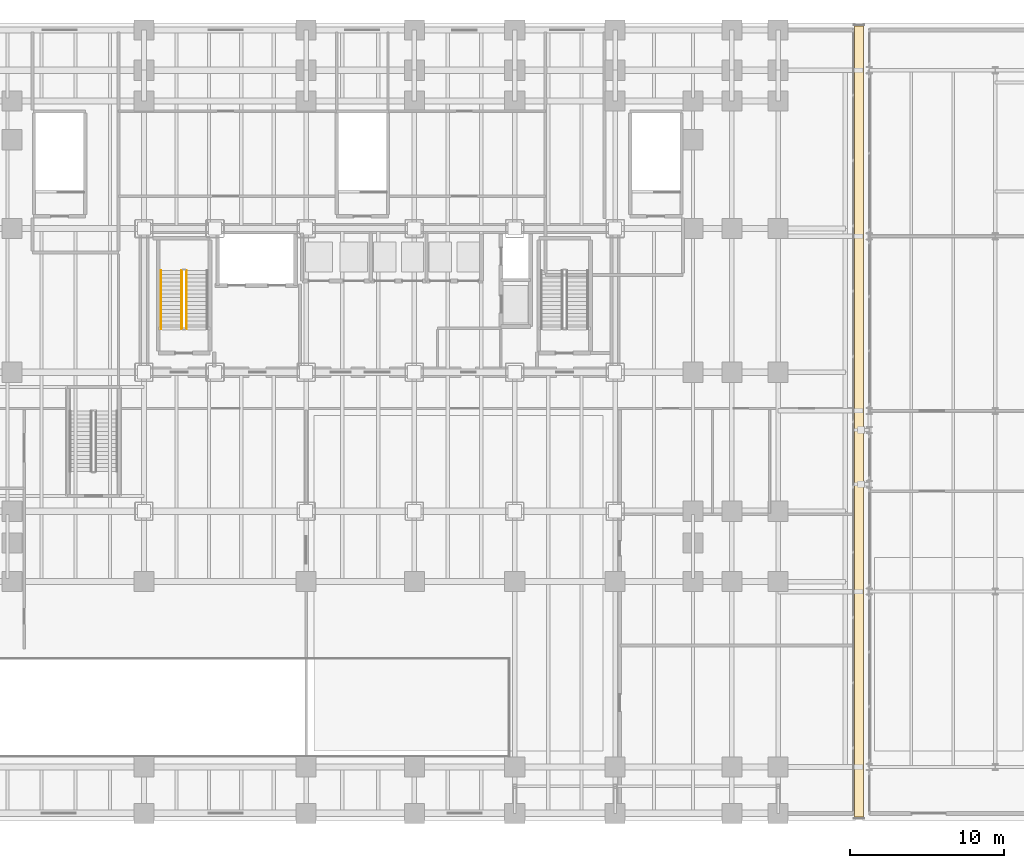
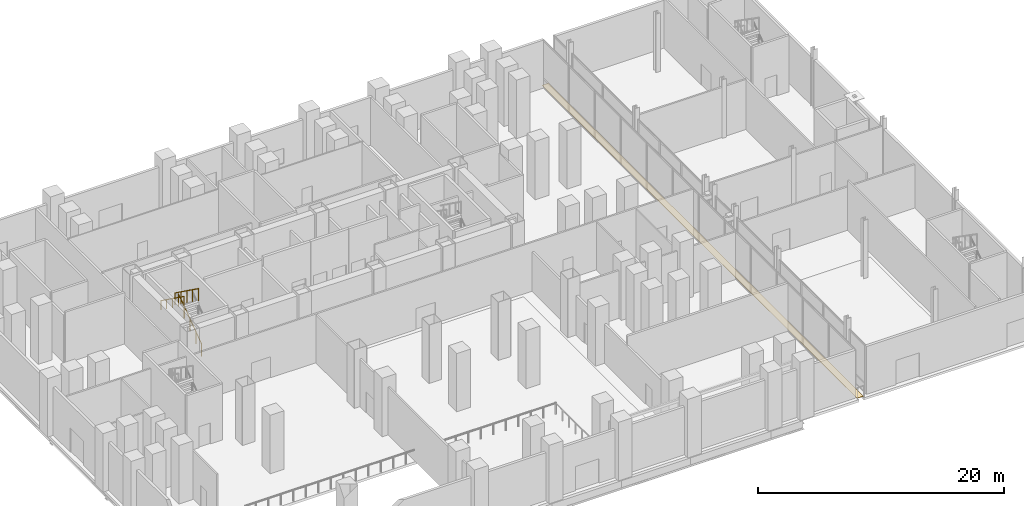
# One storey, part 31 of 36: 3 railings, 1 covering.
"""IFC4 building model written with IfcOpenShell, lengths in metres."""

from ifc_helpers import new_model, si_unit, direction, frame, origin, origin_2d, place, context, subcontext, project, spatial, polyline, circle, outline, extrude, material, layer, layer_set, type_object, element, save


model = new_model("IFC4")

# Units and contexts
model_context = context("Model", 3, precision=1e-05, world=origin(), true_north=direction((0.0, 1.0)))
body_context = subcontext(model_context, "Body", "Model", "MODEL_VIEW")
ifc_project = project(units=[si_unit("LENGTHUNIT", "METRE"), si_unit("AREAUNIT", "SQUARE_METRE"), si_unit("VOLUMEUNIT", "CUBIC_METRE"), si_unit("PLANEANGLEUNIT", "RADIAN"), si_unit("MASSUNIT", "GRAM", prefix="KILO")], contexts=[model_context])

# Site, building, storey
site_placement = place(None, origin())
site = spatial("IfcSite", under=ifc_project, at=site_placement, CompositionType="ELEMENT")
building_placement = place(site_placement, origin())
building = spatial("IfcBuilding", under=site, at=building_placement, Name="Noeulbin Bourse Tower", CompositionType="ELEMENT")
storey_placement = place(building_placement, origin())
storey = spatial("IfcBuildingStorey", under=building, at=storey_placement, Name="L01", CompositionType="ELEMENT", Elevation=0.0)

# Covering
ifc_material_1 = material(Name="Honed Geumjeong Granite Paving", Category="masonry")
ifc_layer_1 = layer(ifc_material_1, 0.030029296875)
ifc_layer_set_1 = layer_set([ifc_layer_1], Name="Honed Geumjeong Granite Paving")
covering_type = type_object("IfcCoveringType", Name="COV-FLR-STN", PredefinedType="FLOORING", material=ifc_layer_set_1)
covering_placement = place(storey_placement, origin())
element("IfcCovering", 1, at=covering_placement, inside=storey, type_object=covering_type, Name="Seismic Expansion Joint Floor Cover L01", PredefinedType="FLOORING", context=body_context, shape_type="SweptSolid", body=[
    extrude(outline(polyline([(59.47998046875, 0.199951171875), (60.070068359375, 0.199951171875), (60.070068359375, 51.39990234375), (59.47998046875, 51.39990234375), (59.47998046875, 0.199951171875)])), origin(), (0.0, 0.0, 1.0), 0.030029296875),
])

# Railings
ifc_material_2 = material(Name="Painted Tubular Steel S355", Category="steel")
ifc_layer_2 = layer(ifc_material_2, 0.048095703125)
ifc_layer_set_2 = layer_set([ifc_layer_2], Name="Painted Tubular Steel S355")
railing_type_1 = type_object("IfcRailingType", Name="RLG-STR-GRD", PredefinedType="GUARDRAIL", material=ifc_layer_set_2)
railing_1_placement = place(storey_placement, frame((16.25, 31.81005859375, 0.18115234375)))
element("IfcRailing", 2, at=railing_1_placement, inside=storey, type_object=railing_type_1, Name="L01 ST-1 stair guard 1", PredefinedType="GUARDRAIL", context=body_context, shape_type="SweptSolid", body=[
    extrude(circle(Radius=0.02392578125, at=origin_2d()), frame((0.0, 0.0, 1.17578125), z_axis=(0.0, 0.811826629365, 0.583898556133), x_axis=(-1.0, 0.0, 0.0)), (0.0, 0.0, 1.0), 4.65625),
    extrude(circle(Radius=0.02099609375, at=origin_2d()), origin(), (0.0, 0.0, 1.0), 1.15185546875),
    extrude(circle(Radius=0.02099609375, at=origin_2d()), frame((0.0, 0.945068359375, 0.6796875)), (0.0, 0.0, 1.0), 1.15185546875),
    extrude(circle(Radius=0.02099609375, at=origin_2d()), frame((0.0, 1.89013671875, 1.359375)), (0.0, 0.0, 1.0), 1.15185546875),
    extrude(circle(Radius=0.02099609375, at=origin_2d()), frame((0.0, 2.8349609375, 2.0390625)), (0.0, 0.0, 1.0), 1.15185546875),
    extrude(circle(Radius=0.02099609375, at=origin_2d()), frame((0.0, 3.780029296875, 2.71875)), (0.0, 0.0, 1.0), 1.15185546875),
])
railing_2_placement = place(storey_placement, frame((15.949951171875, 35.590087890625, 3.081298828125)))
element("IfcRailing", 3, at=railing_2_placement, inside=storey, type_object=railing_type_1, Name="L01 ST-1 stair guard 3", PredefinedType="GUARDRAIL", context=body_context, shape_type="SweptSolid", body=[
    extrude(circle(Radius=0.02392578125, at=origin_2d()), frame((0.0, 0.0, 1.17578125), z_axis=(0.0, -0.811826629365, 0.583898556133), x_axis=(1.0, 0.0, 0.0)), (0.0, 0.0, 1.0), 4.65625),
    extrude(circle(Radius=0.02099609375, at=origin_2d()), origin(), (0.0, 0.0, 1.0), 1.15185546875),
    extrude(circle(Radius=0.02099609375, at=origin_2d()), frame((0.0, -0.945068359375, 0.6796875)), (0.0, 0.0, 1.0), 1.15185546875),
    extrude(circle(Radius=0.02099609375, at=origin_2d()), frame((0.0, -1.89013671875, 1.359375)), (0.0, 0.0, 1.0), 1.15185546875),
    extrude(circle(Radius=0.02099609375, at=origin_2d()), frame((0.0, -2.8349609375, 2.0390625)), (0.0, 0.0, 1.0), 1.15185546875),
    extrude(circle(Radius=0.02099609375, at=origin_2d()), frame((0.0, -3.780029296875, 2.71875)), (0.0, 0.0, 1.0), 1.15185546875),
])
ifc_material_3 = material(Name="Brushed Stainless Steel 316", Category="steel")
ifc_layer_3 = layer(ifc_material_3, 0.048095703125)
ifc_layer_set_3 = layer_set([ifc_layer_3], Name="Brushed Stainless Steel 316")
railing_type_2 = type_object("IfcRailingType", Name="RLG-STR-HND", PredefinedType="HANDRAIL", material=ifc_layer_set_3)
railing_3_placement = place(storey_placement, frame((14.60009765625, 35.590087890625, 3.081298828125)))
element("IfcRailing", 4, at=railing_3_placement, inside=storey, type_object=railing_type_2, Name="L01 ST-1 stair handrail 2", PredefinedType="HANDRAIL", context=body_context, shape_type="SweptSolid", body=[
    extrude(circle(Radius=0.02392578125, at=origin_2d()), frame((0.0, 0.0, 0.8759765625), z_axis=(0.0, -0.811826629365, 0.583898556133), x_axis=(1.0, 0.0, 0.0)), (0.0, 0.0, 1.0), 4.65625),
    extrude(circle(Radius=0.02099609375, at=origin_2d()), origin(), (0.0, 0.0, 1.0), 0.851806640625),
    extrude(circle(Radius=0.02099609375, at=origin_2d()), frame((0.0, -0.945068359375, 0.6796875)), (0.0, 0.0, 1.0), 0.851806640625),
    extrude(circle(Radius=0.02099609375, at=origin_2d()), frame((0.0, -1.89013671875, 1.359375)), (0.0, 0.0, 1.0), 0.851806640625),
    extrude(circle(Radius=0.02099609375, at=origin_2d()), frame((0.0, -2.8349609375, 2.0390625)), (0.0, 0.0, 1.0), 0.851806640625),
    extrude(circle(Radius=0.02099609375, at=origin_2d()), frame((0.0, -3.780029296875, 2.71875)), (0.0, 0.0, 1.0), 0.851806640625),
])

save(model, "model.ifc")
